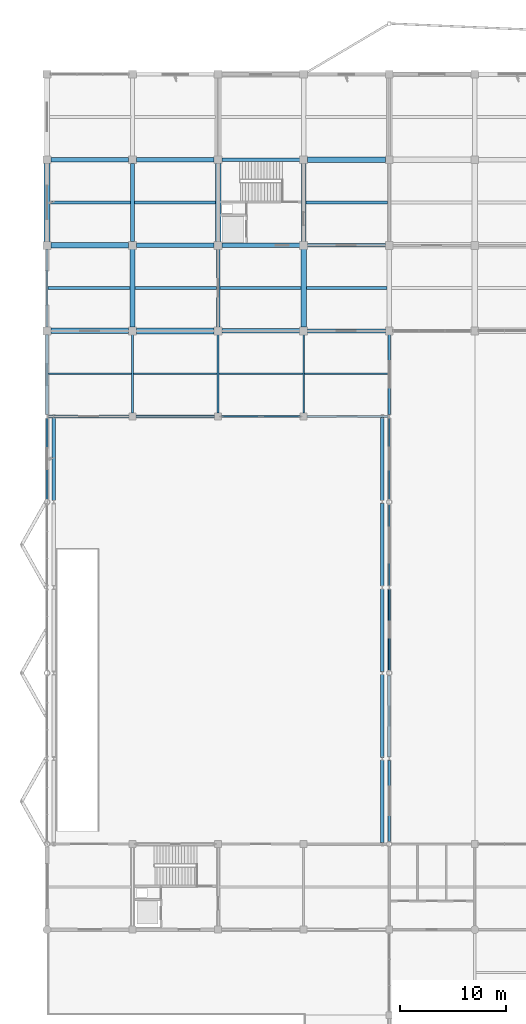
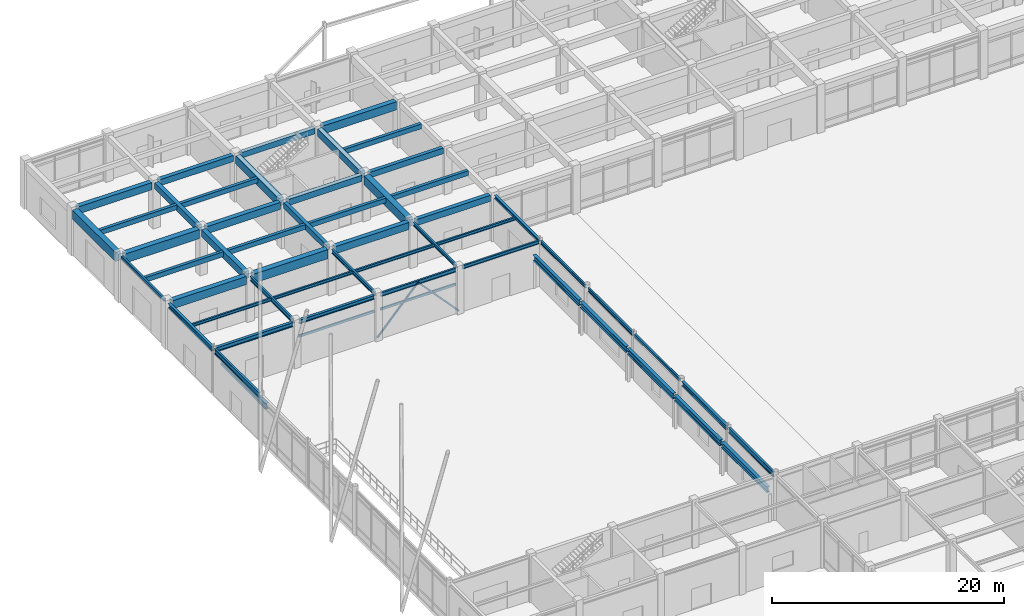
# One storey, part 32 of 99: 54 beams, 2 members.
"""IFC4 building model written with IfcOpenShell, lengths in metres."""

import ifcopenshell
import ifcopenshell.guid

model = None  # the IFC model being written
_history = None  # IfcOwnerHistory: only IFC2X3 demands one
_inside = {}  # id of a spatial element -> (the spatial element, [elements in it])
_under = {}  # id of a project, library or spatial element -> (it, [spatial elements below it])
_declared = {}  # id of a project -> (the project, [libraries it declares])
_typed = {}  # id of a type object -> (the type object, [elements of that type])
_made_of = {}  # id of a material, layer set ... -> (it, [elements and type objects made of it])


def new_model(schema):
    """Start an empty IFC model of exactly this schema.

    Asked for "IFC4X3", IfcOpenShell would pick the latest addendum, in which some entities
    have other attributes; the version numbers below select the first issue.
    IFC2X3 requires an IfcOwnerHistory on every rooted entity: one is made here for all.
    """
    global model, _history
    if schema == "IFC4X3":
        model = ifcopenshell.file(schema_version=(4, 3, 0, 0))
    else:
        model = ifcopenshell.file(schema=schema)
    _inside.clear()
    _under.clear()
    _declared.clear()
    _typed.clear()
    _made_of.clear()
    _history = None
    if model.schema == "IFC2X3":
        org = make("IfcOrganization", Name="unknown")
        user = make(
            "IfcPersonAndOrganization",
            ThePerson=make("IfcPerson", FamilyName="unknown"),
            TheOrganization=org,
        )
        app = make(
            "IfcApplication",
            ApplicationDeveloper=org,
            Version="unknown",
            ApplicationFullName="unknown",
            ApplicationIdentifier="unknown",
        )
        _history = make(
            "IfcOwnerHistory",
            OwningUser=user,
            OwningApplication=app,
            ChangeAction="ADDED",
            CreationDate=0,
        )
    return model


def make(cls, **values):
    """One entity of the class cls with the attributes given. An attribute that is None is left unset."""
    return model.create_entity(
        cls, **{name: value for name, value in values.items() if value is not None}
    )


def rooted(cls, **values):
    """An entity with a GlobalId (a new one), such as an element, a storey or a relation."""
    return make(cls, GlobalId=ifcopenshell.guid.new(), OwnerHistory=_history, **values)


def si_unit(unit_type, name, prefix=None):
    """IfcSIUnit, for example si_unit("LENGTHUNIT", "METRE", prefix="MILLI")."""
    return make("IfcSIUnit", UnitType=unit_type, Prefix=prefix, Name=name)


def assignment(units):
    """IfcUnitAssignment: the units of a project."""
    return None if units is None else make("IfcUnitAssignment", Units=units)


def point(xyz):
    """IfcCartesianPoint."""
    return None if xyz is None else make("IfcCartesianPoint", Coordinates=xyz)


def direction(xyz):
    """IfcDirection."""
    return None if xyz is None else make("IfcDirection", DirectionRatios=xyz)


def frame(location, z_axis=None, x_axis=None):
    """IfcAxis2Placement3D, a coordinate frame: its origin and axes. An axis left out is left unset."""
    return make(
        "IfcAxis2Placement3D",
        Location=point(location),
        Axis=direction(z_axis),
        RefDirection=direction(x_axis),
    )


def frame_2d(location, x_axis=None):
    """IfcAxis2Placement2D, a coordinate frame in the plane: its origin and x axis."""
    return make(
        "IfcAxis2Placement2D", Location=point(location), RefDirection=direction(x_axis)
    )


def origin():
    """The frame at (0, 0, 0) with its axes left unset."""
    return frame((0.0, 0.0, 0.0))


def origin_2d():
    """The frame at (0, 0) in the plane with its x axis left unset."""
    return frame_2d((0.0, 0.0))


def place(relative_to, where):
    """IfcLocalPlacement: puts the frame where relative to a parent placement (None: the world)."""
    return make(
        "IfcLocalPlacement", PlacementRelTo=relative_to, RelativePlacement=where
    )


def context(
    kind, dimensions, precision=None, world=None, true_north=None, identifier=None
):
    """IfcGeometricRepresentationContext, for example the 3D "Model" context."""
    return make(
        "IfcGeometricRepresentationContext",
        ContextIdentifier=identifier,
        ContextType=kind,
        CoordinateSpaceDimension=dimensions,
        Precision=precision,
        WorldCoordinateSystem=world,
        TrueNorth=true_north,
    )


def subcontext(parent, identifier, kind, view, scale=None):
    """IfcGeometricRepresentationSubContext, for example "Body" below "Model"."""
    return make(
        "IfcGeometricRepresentationSubContext",
        ContextIdentifier=identifier,
        ContextType=kind,
        ParentContext=parent,
        TargetScale=scale,
        TargetView=view,
    )


def project(units=None, contexts=None):
    """IfcProject with its units and contexts."""
    return rooted(
        "IfcProject",
        Name="project",
        RepresentationContexts=contexts,
        UnitsInContext=assignment(units),
    )


def spatial(cls, under=None, at=None, **own):
    """A site, building, storey or space (cls), placed at a placement, below another one or the project."""
    s = rooted(cls, ObjectPlacement=at, **own)
    if under is not None:
        _under.setdefault(under.id(), (under, []))[1].append(s)
    return s


def profile(cls, at=None, kind="AREA", **sizes):
    """A parametric profile (cls). Its sizes go by their IFC names, for example OverallWidth=200.0."""
    return make(cls, ProfileType=kind, Position=at, **sizes)


def rectangle(**sizes):
    """IfcRectangleProfileDef."""
    return profile("IfcRectangleProfileDef", **sizes)


def hollow_rectangle(**sizes):
    """IfcRectangleHollowProfileDef."""
    return profile("IfcRectangleHollowProfileDef", **sizes)


def i_section(**sizes):
    """IfcIShapeProfileDef."""
    return profile("IfcIShapeProfileDef", **sizes)


def extrude(swept, where, along, depth):
    """IfcExtrudedAreaSolid: the profile swept, set in the frame where, extruded along a direction by depth."""
    return make(
        "IfcExtrudedAreaSolid",
        SweptArea=swept,
        Position=where,
        ExtrudedDirection=direction(along),
        Depth=depth,
    )


def shape(context_of_items, identifier, shape_type, items):
    """IfcShapeRepresentation: the items that make up one representation, for example the "Body"."""
    return make(
        "IfcShapeRepresentation",
        ContextOfItems=context_of_items,
        RepresentationIdentifier=identifier,
        RepresentationType=shape_type,
        Items=items,
    )


def material(Name=None, Category=None):
    """IfcMaterial."""
    return make("IfcMaterial", Name=Name, Category=Category)


def material_profile(
    of_material, cross_section, Name=None, Category=None, Priority=None
):
    """IfcMaterialProfile: a cross section and its material."""
    return make(
        "IfcMaterialProfile",
        Name=Name,
        Material=of_material,
        Profile=cross_section,
        Priority=Priority,
        Category=Category,
    )


def profile_set(profiles, Name=None, composite=None):
    """IfcMaterialProfileSet."""
    return make(
        "IfcMaterialProfileSet",
        Name=Name,
        MaterialProfiles=profiles,
        CompositeProfile=composite,
    )


def made_of(thing, what):
    """Note that an element or type object is made of a material, layer set ...; save() writes the relation."""
    if what is not None:
        _made_of.setdefault(what.id(), (what, []))[1].append(thing)
    return thing


def type_object(cls, material=None, **own):
    """A type object (cls), such as IfcWallType, which elements share."""
    return made_of(rooted(cls, **own), material)


def element(
    cls,
    number,
    at=None,
    inside=None,
    cuts=None,
    type_object=None,
    material=None,
    context=None,
    identifier="Body",
    shape_type=None,
    held_by="IfcProductDefinitionShape",
    body=None,
    shapes=None,
    **own,
):
    """One element of the class cls, such as IfcWall. Its Tag is "e" and its number.

    at: its placement. inside: the storey or other place that contains it. cuts: it is an
    opening in that element (IfcRelVoidsElement). A single representation is given by context,
    identifier, shape_type and body (its items); several are given by shapes. held_by: the class
    of the entity that holds the representations. save() writes the other relations.
    """
    e = rooted(cls, Tag="e%d" % number, ObjectPlacement=at, **own)
    if body is not None:
        shapes = [shape(context, identifier, shape_type, body)]
    if shapes is not None:
        e.Representation = make(held_by, Representations=shapes)
    if inside is not None:
        _inside.setdefault(inside.id(), (inside, []))[1].append(e)
    if cuts is not None:
        rooted(
            "IfcRelVoidsElement", RelatingBuildingElement=cuts, RelatedOpeningElement=e
        )
    if type_object is not None:
        _typed.setdefault(type_object.id(), (type_object, []))[1].append(e)
    return made_of(e, material)


def aggregate(whole, parts):
    """IfcRelAggregates: a whole, such as a stair, and the parts it consists of."""
    return rooted("IfcRelAggregates", RelatingObject=whole, RelatedObjects=parts)


def save(model, path):
    """Write the relations noted so far, then the file.

    IfcRelAggregates (storeys below a building ...), IfcRelContainedInSpatialStructure (elements
    in a storey), IfcRelDefinesByType, IfcRelAssociatesMaterial and IfcRelDeclares: one each for
    every whole, place, type object, material and project.
    """
    for whole, parts in _under.values():
        aggregate(whole, parts)
    for where, things in _inside.values():
        rooted(
            "IfcRelContainedInSpatialStructure",
            RelatedElements=things,
            RelatingStructure=where,
        )
    for kind, things in _typed.values():
        rooted("IfcRelDefinesByType", RelatedObjects=things, RelatingType=kind)
    for what, things in _made_of.values():
        rooted("IfcRelAssociatesMaterial", RelatedObjects=things, RelatingMaterial=what)
    for by, libraries in _declared.values():
        rooted("IfcRelDeclares", RelatingContext=by, RelatedDefinitions=libraries)
    model.write(path)


model = new_model("IFC4")

# Units and contexts
model_context = context("Model", 3, precision=1e-05, world=origin(), true_north=direction((0.0, 1.0)))
body_context = subcontext(model_context, "Body", "Model", "MODEL_VIEW")
ifc_project = project(units=[si_unit("LENGTHUNIT", "METRE"), si_unit("AREAUNIT", "SQUARE_METRE"), si_unit("VOLUMEUNIT", "CUBIC_METRE"), si_unit("PLANEANGLEUNIT", "RADIAN"), si_unit("MASSUNIT", "GRAM", prefix="KILO")], contexts=[model_context])

# Site, building, storey
site_placement = place(None, origin())
site = spatial("IfcSite", under=ifc_project, at=site_placement, CompositionType="ELEMENT")
building_placement = place(site_placement, origin())
building = spatial("IfcBuilding", under=site, at=building_placement, Name="Vaudrelin Polytechnic", CompositionType="ELEMENT")
storey_placement = place(building_placement, origin())
storey = spatial("IfcBuildingStorey", under=building, at=storey_placement, Name="L00", CompositionType="ELEMENT", Elevation=0.0)

# Beams
ifc_material_1 = material(Name="Concrete 40 MPa", Category="concrete")
ifc_material_profile_1 = material_profile(ifc_material_1, rectangle(XDim=0.35009765625, YDim=0.60009765625, at=origin_2d()), Name="RC350x600")
ifc_profile_set_1 = profile_set([ifc_material_profile_1], Name="Concrete 40 MPa")
beam_type_1 = type_object("IfcBeamType", Name="BM-BM-RC3560", PredefinedType="BEAM", material=ifc_profile_set_1)
beam_1_placement = place(storey_placement, frame((16.199951171875, 97.56005859375, 4.52001953125), z_axis=(0.0, 1.0, 0.0), x_axis=(-1.0, 0.0, 0.0)))
element("IfcBeam", 1, at=beam_1_placement, inside=storey, type_object=beam_type_1, Name="L00 Y-beam 3-13", PredefinedType="BEAM", context=body_context, shape_type="SweptSolid", body=[
    extrude(rectangle(XDim=0.35009765625, YDim=0.60009765625, at=origin_2d()), origin(), (0.0, 0.0, 1.0), 7.3798828125),
])
beam_2_placement = place(storey_placement, frame((16.571044921875, 113.39990234375, 4.52001953125), z_axis=(1.0, 0.0, 0.0), x_axis=(0.0, 1.0, 0.0)))
element("IfcBeam", 2, at=beam_2_placement, inside=storey, type_object=beam_type_1, Name="L00 X-beam 3-15", PredefinedType="BEAM", context=body_context, shape_type="SweptSolid", body=[
    extrude(rectangle(XDim=0.35009765625, YDim=0.60009765625, at=origin_2d()), origin(), (0.0, 0.0, 1.0), 7.35791015625),
])
beam_3_placement = place(storey_placement, frame((24.6708984375, 105.300048828125, 4.52001953125), z_axis=(1.0, 0.0, 0.0), x_axis=(0.0, 1.0, 0.0)))
element("IfcBeam", 3, at=beam_3_placement, inside=storey, type_object=beam_type_1, Name="L00 X-beam 4-14", PredefinedType="BEAM", context=body_context, shape_type="SweptSolid", body=[
    extrude(rectangle(XDim=0.35009765625, YDim=0.60009765625, at=origin_2d()), origin(), (0.0, 0.0, 1.0), 7.358154296875),
])
ifc_material_profile_2 = material_profile(ifc_material_1, rectangle(XDim=0.39990234375, YDim=0.64990234375, at=origin_2d()), Name="RC400x650")
ifc_profile_set_2 = profile_set([ifc_material_profile_2], Name="Concrete 40 MPa")
beam_type_2 = type_object("IfcBeamType", Name="BM-BM-RC4065", PredefinedType="BEAM", material=ifc_profile_set_2)
beam_4_placement = place(storey_placement, frame((8.10009765625, 105.659912109375, 4.4951171875), z_axis=(0.0, 1.0, 0.0), x_axis=(-1.0, 0.0, 0.0)))
element("IfcBeam", 4, at=beam_4_placement, inside=storey, type_object=beam_type_2, Name="L00 Y-beam 2-14", PredefinedType="BEAM", context=body_context, shape_type="SweptSolid", body=[
    extrude(rectangle(XDim=0.39990234375, YDim=0.64990234375, at=origin_2d()), origin(), (0.0, 0.0, 1.0), 7.380126953125),
])
beam_5_placement = place(storey_placement, frame((8.470947265625, 113.39990234375, 4.4951171875), z_axis=(1.0, 0.0, 0.0), x_axis=(0.0, 1.0, 0.0)))
element("IfcBeam", 5, at=beam_5_placement, inside=storey, type_object=beam_type_2, Name="L00 X-beam 2-15", PredefinedType="BEAM", context=body_context, shape_type="SweptSolid", body=[
    extrude(rectangle(XDim=0.39990234375, YDim=0.64990234375, at=origin_2d()), origin(), (0.0, 0.0, 1.0), 7.358154296875),
])
beam_6_placement = place(storey_placement, frame((16.571044921875, 105.300048828125, 4.4951171875), z_axis=(1.0, 0.0, 0.0), x_axis=(0.0, 1.0, 0.0)))
element("IfcBeam", 6, at=beam_6_placement, inside=storey, type_object=beam_type_2, Name="L00 X-beam 3-14", PredefinedType="BEAM", context=body_context, shape_type="SweptSolid", body=[
    extrude(rectangle(XDim=0.39990234375, YDim=0.64990234375, at=origin_2d()), origin(), (0.0, 0.0, 1.0), 7.35791015625),
])
beam_7_placement = place(storey_placement, frame((24.6708984375, 97.199951171875, 4.465087890625), z_axis=(1.0, 0.0, 0.0), x_axis=(0.0, 1.0, 0.0)))
element("IfcBeam", 7, at=beam_7_placement, inside=storey, type_object=beam_type_2, Name="L00 X-beam 4-13", PredefinedType="BEAM", context=body_context, shape_type="SweptSolid", body=[
    extrude(rectangle(XDim=0.39990234375, YDim=0.64990234375, at=origin_2d()), origin(), (0.0, 0.0, 1.0), 7.358154296875),
])
ifc_material_profile_3 = material_profile(ifc_material_1, rectangle(XDim=0.449951171875, YDim=0.75, at=origin_2d()), Name="RC450x750")
ifc_profile_set_3 = profile_set([ifc_material_profile_3], Name="Concrete 40 MPa")
beam_type_3 = type_object("IfcBeamType", Name="BM-BM-RC4575", PredefinedType="BEAM", material=ifc_profile_set_3)
beam_8_placement = place(storey_placement, frame((8.10009765625, 97.56005859375, 4.445068359375), z_axis=(0.0, 1.0, 0.0), x_axis=(-1.0, 0.0, 0.0)))
element("IfcBeam", 8, at=beam_8_placement, inside=storey, type_object=beam_type_3, Name="L00 Y-beam 2-13", PredefinedType="BEAM", context=body_context, shape_type="SweptSolid", body=[
    extrude(rectangle(XDim=0.449951171875, YDim=0.75, at=origin_2d()), origin(), (0.0, 0.0, 1.0), 7.3798828125),
])
beam_9_placement = place(storey_placement, frame((24.300048828125, 105.659912109375, 4.445068359375), z_axis=(0.0, 1.0, 0.0), x_axis=(-1.0, 0.0, 0.0)))
element("IfcBeam", 9, at=beam_9_placement, inside=storey, type_object=beam_type_3, Name="L00 Y-beam 4-14", PredefinedType="BEAM", context=body_context, shape_type="SweptSolid", body=[
    extrude(rectangle(XDim=0.449951171875, YDim=0.75, at=origin_2d()), origin(), (0.0, 0.0, 1.0), 7.380126953125),
])
beam_10_placement = place(storey_placement, frame((0.37109375, 113.39990234375, 4.445068359375), z_axis=(1.0, 0.0, 0.0), x_axis=(0.0, 1.0, 0.0)))
element("IfcBeam", 10, at=beam_10_placement, inside=storey, type_object=beam_type_3, Name="L00 X-beam 1-15", PredefinedType="BEAM", context=body_context, shape_type="SweptSolid", body=[
    extrude(rectangle(XDim=0.449951171875, YDim=0.75, at=origin_2d()), origin(), (0.0, 0.0, 1.0), 7.35791015625),
])
beam_11_placement = place(storey_placement, frame((8.470947265625, 105.300048828125, 4.445068359375), z_axis=(1.0, 0.0, 0.0), x_axis=(0.0, 1.0, 0.0)))
element("IfcBeam", 11, at=beam_11_placement, inside=storey, type_object=beam_type_3, Name="L00 X-beam 2-14", PredefinedType="BEAM", context=body_context, shape_type="SweptSolid", body=[
    extrude(rectangle(XDim=0.449951171875, YDim=0.75, at=origin_2d()), origin(), (0.0, 0.0, 1.0), 7.358154296875),
])
beam_12_placement = place(storey_placement, frame((16.571044921875, 97.199951171875, 4.4150390625), z_axis=(1.0, 0.0, 0.0), x_axis=(0.0, 1.0, 0.0)))
element("IfcBeam", 12, at=beam_12_placement, inside=storey, type_object=beam_type_3, Name="L00 X-beam 3-13", PredefinedType="BEAM", context=body_context, shape_type="SweptSolid", body=[
    extrude(rectangle(XDim=0.449951171875, YDim=0.75, at=origin_2d()), origin(), (0.0, 0.0, 1.0), 7.35791015625),
])
ifc_material_profile_4 = material_profile(ifc_material_1, rectangle(XDim=0.5, YDim=0.85009765625, at=origin_2d()), Name="RC500x850")
ifc_profile_set_4 = profile_set([ifc_material_profile_4], Name="Concrete 40 MPa")
beam_type_4 = type_object("IfcBeamType", Name="BM-BM-RC5085", PredefinedType="BEAM", material=ifc_profile_set_4)
beam_13_placement = place(storey_placement, frame((16.199951171875, 105.659912109375, 4.39501953125), z_axis=(0.0, 1.0, 0.0), x_axis=(-1.0, 0.0, 0.0)))
element("IfcBeam", 13, at=beam_13_placement, inside=storey, type_object=beam_type_4, Name="L00 Y-beam 3-14", PredefinedType="BEAM", context=body_context, shape_type="SweptSolid", body=[
    extrude(rectangle(XDim=0.5, YDim=0.85009765625, at=origin_2d()), origin(), (0.0, 0.0, 1.0), 7.380126953125),
])
beam_14_placement = place(storey_placement, frame((0.37109375, 97.199951171875, 4.364990234375), z_axis=(1.0, 0.0, 0.0), x_axis=(0.0, 1.0, 0.0)))
element("IfcBeam", 14, at=beam_14_placement, inside=storey, type_object=beam_type_4, Name="L00 X-beam 1-13", PredefinedType="BEAM", context=body_context, shape_type="SweptSolid", body=[
    extrude(rectangle(XDim=0.5, YDim=0.85009765625, at=origin_2d()), origin(), (0.0, 0.0, 1.0), 7.35791015625),
])
beam_15_placement = place(storey_placement, frame((24.6708984375, 113.39990234375, 4.39501953125), z_axis=(1.0, 0.0, 0.0), x_axis=(0.0, 1.0, 0.0)))
element("IfcBeam", 15, at=beam_15_placement, inside=storey, type_object=beam_type_4, Name="L00 X-beam 4-15", PredefinedType="BEAM", context=body_context, shape_type="SweptSolid", body=[
    extrude(rectangle(XDim=0.5, YDim=0.85009765625, at=origin_2d()), origin(), (0.0, 0.0, 1.0), 7.358154296875),
])
ifc_material_2 = material(Name="Concrete 50 MPa", Category="concrete")
ifc_material_profile_5 = material_profile(ifc_material_2, rectangle(XDim=0.550048828125, YDim=0.949951171875, at=origin_2d()), Name="RC550x950")
ifc_profile_set_5 = profile_set([ifc_material_profile_5], Name="Concrete 50 MPa")
beam_type_5 = type_object("IfcBeamType", Name="BM-BM-RC5595", PredefinedType="BEAM", material=ifc_profile_set_5)
beam_16_placement = place(storey_placement, frame((0.0, 105.659912109375, 4.344970703125), z_axis=(0.0, 1.0, 0.0), x_axis=(-1.0, 0.0, 0.0)))
element("IfcBeam", 16, at=beam_16_placement, inside=storey, type_object=beam_type_5, Name="L00 Y-beam 1-14", PredefinedType="BEAM", context=body_context, shape_type="SweptSolid", body=[
    extrude(rectangle(XDim=0.550048828125, YDim=0.949951171875, at=origin_2d()), origin(), (0.0, 0.0, 1.0), 7.380126953125),
])
beam_17_placement = place(storey_placement, frame((24.300048828125, 97.56005859375, 4.344970703125), z_axis=(0.0, 1.0, 0.0), x_axis=(-1.0, 0.0, 0.0)))
element("IfcBeam", 17, at=beam_17_placement, inside=storey, type_object=beam_type_5, Name="L00 Y-beam 4-13", PredefinedType="BEAM", context=body_context, shape_type="SweptSolid", body=[
    extrude(rectangle(XDim=0.550048828125, YDim=0.949951171875, at=origin_2d()), origin(), (0.0, 0.0, 1.0), 7.3798828125),
])
beam_18_placement = place(storey_placement, frame((0.37109375, 105.300048828125, 4.344970703125), z_axis=(1.0, 0.0, 0.0), x_axis=(0.0, 1.0, 0.0)))
element("IfcBeam", 18, at=beam_18_placement, inside=storey, type_object=beam_type_5, Name="L00 X-beam 1-14", PredefinedType="BEAM", context=body_context, shape_type="SweptSolid", body=[
    extrude(rectangle(XDim=0.550048828125, YDim=0.949951171875, at=origin_2d()), origin(), (0.0, 0.0, 1.0), 7.35791015625),
])
beam_19_placement = place(storey_placement, frame((8.470947265625, 97.199951171875, 4.31494140625), z_axis=(1.0, 0.0, 0.0), x_axis=(0.0, 1.0, 0.0)))
element("IfcBeam", 19, at=beam_19_placement, inside=storey, type_object=beam_type_5, Name="L00 X-beam 2-13", PredefinedType="BEAM", context=body_context, shape_type="SweptSolid", body=[
    extrude(rectangle(XDim=0.550048828125, YDim=0.949951171875, at=origin_2d()), origin(), (0.0, 0.0, 1.0), 7.358154296875),
])
ifc_material_3 = material(Name="Steel CSA G40.21 350W", Category="steel")
ifc_material_profile_6 = material_profile(ifc_material_3, i_section(OverallWidth=0.178955078125, OverallDepth=0.409912109375, WebThickness=0.0087890625, FlangeThickness=0.014404296875, FilletRadius=0.01611328125, at=origin_2d()), Name="W410x67")
ifc_profile_set_6 = profile_set([ifc_material_profile_6], Name="Steel CSA G40.21 350W")
beam_type_6 = type_object("IfcBeamType", Name="BM-BM-W410", PredefinedType="BEAM", material=ifc_profile_set_6)
beam_20_placement = place(storey_placement, frame((16.199951171875, 89.409912109375, 4.5849609375), z_axis=(0.0, 1.0, 0.0), x_axis=(-1.0, 0.0, 0.0)))
element("IfcBeam", 20, at=beam_20_placement, inside=storey, type_object=beam_type_6, Name="L00 Y-beam 3-12", PredefinedType="BEAM", context=body_context, shape_type="SweptSolid", body=[
    extrude(i_section(OverallWidth=0.178955078125, OverallDepth=0.409912109375, WebThickness=0.0087890625, FlangeThickness=0.014404296875, FilletRadius=0.01611328125, at=origin_2d()), origin(), (0.0, 0.0, 1.0), 7.43017578125),
])
beam_21_placement = place(storey_placement, frame((32.39990234375, 73.0615234375, 4.614990234375), z_axis=(0.0, 1.0, 0.0), x_axis=(-1.0, 0.0, 0.0)))
element("IfcBeam", 21, at=beam_21_placement, inside=storey, type_object=beam_type_6, Name="L00 Y-beam 5-10", PredefinedType="BEAM", context=body_context, shape_type="SweptSolid", body=[
    extrude(i_section(OverallWidth=0.178955078125, OverallDepth=0.409912109375, WebThickness=0.0087890625, FlangeThickness=0.014404296875, FilletRadius=0.01611328125, at=origin_2d()), origin(), (0.0, 0.0, 1.0), 7.699462890625),
])
beam_22_placement = place(storey_placement, frame((16.52099609375, 89.10009765625, 4.5849609375), z_axis=(1.0, 0.0, 0.0), x_axis=(0.0, 1.0, 0.0)))
element("IfcBeam", 22, at=beam_22_placement, inside=storey, type_object=beam_type_6, Name="L00 X-beam 3-12", PredefinedType="BEAM", context=body_context, shape_type="SweptSolid", body=[
    extrude(i_section(OverallWidth=0.178955078125, OverallDepth=0.409912109375, WebThickness=0.0087890625, FlangeThickness=0.014404296875, FilletRadius=0.01611328125, at=origin_2d()), origin(), (0.0, 0.0, 1.0), 7.4580078125),
])
ifc_material_4 = material(Name="Steel CSA G40.21 350WT", Category="steel")
ifc_material_profile_7 = material_profile(ifc_material_4, i_section(OverallWidth=0.260009765625, OverallDepth=0.4150390625, WebThickness=0.010009765625, FlangeThickness=0.016845703125, FilletRadius=0.01611328125, at=origin_2d()), Name="W410x100")
ifc_profile_set_7 = profile_set([ifc_material_profile_7], Name="Steel CSA G40.21 350WT")
beam_type_7 = type_object("IfcBeamType", Name="BM-BM-W410H", PredefinedType="SPANDREL", material=ifc_profile_set_7)
beam_23_placement = place(storey_placement, frame((8.4208984375, 89.10009765625, 4.58251953125), z_axis=(1.0, 0.0, 0.0), x_axis=(0.0, 1.0, 0.0)))
element("IfcBeam", 23, at=beam_23_placement, inside=storey, type_object=beam_type_7, Name="L00 X-beam 2-12", PredefinedType="SPANDREL", context=body_context, shape_type="SweptSolid", body=[
    extrude(i_section(OverallWidth=0.260009765625, OverallDepth=0.4150390625, WebThickness=0.010009765625, FlangeThickness=0.016845703125, FilletRadius=0.01611328125, at=origin_2d()), origin(), (0.0, 0.0, 1.0), 7.4580078125),
])
ifc_material_profile_8 = material_profile(ifc_material_4, i_section(OverallWidth=0.19091796875, OverallDepth=0.4599609375, WebThickness=0.010009765625, FlangeThickness=0.01611328125, FilletRadius=0.01806640625, at=origin_2d()), Name="W460x82")
ifc_profile_set_8 = profile_set([ifc_material_profile_8], Name="Steel CSA G40.21 350WT")
beam_type_8 = type_object("IfcBeamType", Name="BM-BM-W460", PredefinedType="BEAM", material=ifc_profile_set_8)
beam_24_placement = place(storey_placement, frame((8.10009765625, 89.409912109375, 4.56005859375), z_axis=(0.0, 1.0, 0.0), x_axis=(-1.0, 0.0, 0.0)))
element("IfcBeam", 24, at=beam_24_placement, inside=storey, type_object=beam_type_8, Name="L00 Y-beam 2-12", PredefinedType="BEAM", context=body_context, shape_type="SweptSolid", body=[
    extrude(i_section(OverallWidth=0.19091796875, OverallDepth=0.4599609375, WebThickness=0.010009765625, FlangeThickness=0.01611328125, FilletRadius=0.01806640625, at=origin_2d()), origin(), (0.0, 0.0, 1.0), 7.43017578125),
])
ifc_material_profile_9 = material_profile(ifc_material_3, i_section(OverallWidth=0.280029296875, OverallDepth=0.462890625, WebThickness=0.0107421875, FlangeThickness=0.017333984375, FilletRadius=0.01806640625, at=origin_2d()), Name="W460x113")
ifc_profile_set_9 = profile_set([ifc_material_profile_9], Name="Steel CSA G40.21 350W")
beam_type_9 = type_object("IfcBeamType", Name="BM-BM-W460H", PredefinedType="BEAM", material=ifc_profile_set_9)
beam_25_placement = place(storey_placement, frame((0.0, 89.261474609375, 4.55859375), z_axis=(0.0, 1.0, 0.0), x_axis=(-1.0, 0.0, 0.0)))
element("IfcBeam", 25, at=beam_25_placement, inside=storey, type_object=beam_type_9, Name="L00 Y-beam 1-12", PredefinedType="BEAM", context=body_context, shape_type="SweptSolid", body=[
    extrude(i_section(OverallWidth=0.280029296875, OverallDepth=0.462890625, WebThickness=0.0107421875, FlangeThickness=0.017333984375, FilletRadius=0.01806640625, at=origin_2d()), origin(), (0.0, 0.0, 1.0), 7.57861328125),
])
beam_26_placement = place(storey_placement, frame((32.39990234375, 56.861572265625, 4.58837890625), z_axis=(0.0, 1.0, 0.0), x_axis=(-1.0, 0.0, 0.0)))
element("IfcBeam", 26, at=beam_26_placement, inside=storey, type_object=beam_type_9, Name="L00 Y-beam 5-8", PredefinedType="BEAM", context=body_context, shape_type="SweptSolid", body=[
    extrude(i_section(OverallWidth=0.280029296875, OverallDepth=0.462890625, WebThickness=0.0107421875, FlangeThickness=0.017333984375, FilletRadius=0.01806640625, at=origin_2d()), origin(), (0.0, 0.0, 1.0), 7.699462890625),
])
beam_27_placement = place(storey_placement, frame((0.123046875, 89.10009765625, 4.55859375), z_axis=(1.0, 0.0, 0.0), x_axis=(0.0, 1.0, 0.0)))
element("IfcBeam", 27, at=beam_27_placement, inside=storey, type_object=beam_type_9, Name="L00 X-beam 1-12", PredefinedType="BEAM", context=body_context, shape_type="SweptSolid", body=[
    extrude(i_section(OverallWidth=0.280029296875, OverallDepth=0.462890625, WebThickness=0.0107421875, FlangeThickness=0.017333984375, FilletRadius=0.01806640625, at=origin_2d()), origin(), (0.0, 0.0, 1.0), 7.656005859375),
])
ifc_material_profile_10 = material_profile(ifc_material_3, i_section(OverallWidth=0.208984375, OverallDepth=0.532958984375, WebThickness=0.01025390625, FlangeThickness=0.015625, FilletRadius=0.01904296875, at=origin_2d()), Name="W530x92")
ifc_profile_set_10 = profile_set([ifc_material_profile_10], Name="Steel CSA G40.21 350W")
beam_type_10 = type_object("IfcBeamType", Name="BM-BM-W530", PredefinedType="BEAM", material=ifc_profile_set_10)
for number, where, z_axis, x_axis, name in (
    (28, (0.0, 81.239013671875, 4.553466796875), (0.0, 1.0, 0.0), (-1.0, 0.0, 0.0), "L00 Y-beam 1-11"),
    (29, (32.39990234375, 48.839111328125, 4.553466796875), (0.0, 1.0, 0.0), (-1.0, 0.0, 0.0), "L00 Y-beam 5-7"),
):
    element("IfcBeam", number, at=place(storey_placement, frame(where, z_axis=z_axis, x_axis=x_axis)), inside=storey, type_object=beam_type_10, Name=name, PredefinedType="BEAM", context=body_context, shape_type="SweptSolid", body=[
        extrude(i_section(OverallWidth=0.208984375, OverallDepth=0.532958984375, WebThickness=0.01025390625, FlangeThickness=0.015625, FilletRadius=0.01904296875, at=origin_2d()), origin(), (0.0, 0.0, 1.0), 7.699462890625),
    ])
ifc_material_profile_11 = material_profile(ifc_material_3, i_section(OverallWidth=0.323974609375, OverallDepth=0.611083984375, WebThickness=0.0126953125, FlangeThickness=0.01904296875, FilletRadius=0.02001953125, at=origin_2d()), Name="W610x155")
ifc_profile_set_11 = profile_set([ifc_material_profile_11], Name="Steel CSA G40.21 350W")
beam_type_11 = type_object("IfcBeamType", Name="BM-BM-W610H", PredefinedType="BEAM", material=ifc_profile_set_11)
beam_28_placement = place(storey_placement, frame((0.64990234375, 81.1201171875, 3.244384765625), z_axis=(0.0, 1.0, 0.0), x_axis=(-1.0, 0.0, 0.0)))
element("IfcBeam", 30, at=beam_28_placement, inside=storey, type_object=beam_type_11, Name="Workshop crane runway girder WEST bay 10", PredefinedType="BEAM", context=body_context, shape_type="SweptSolid", body=[
    extrude(i_section(OverallWidth=0.323974609375, OverallDepth=0.611083984375, WebThickness=0.0126953125, FlangeThickness=0.01904296875, FilletRadius=0.02001953125, at=origin_2d()), origin(), (0.0, 0.0, 1.0), 7.85986328125),
])
beam_29_placement = place(storey_placement, frame((31.75, 48.719970703125, 3.244384765625), z_axis=(0.0, 1.0, 0.0), x_axis=(-1.0, 0.0, 0.0)))
element("IfcBeam", 31, at=beam_29_placement, inside=storey, type_object=beam_type_11, Name="Workshop crane runway girder EAST bay 6", PredefinedType="BEAM", context=body_context, shape_type="SweptSolid", body=[
    extrude(i_section(OverallWidth=0.323974609375, OverallDepth=0.611083984375, WebThickness=0.0126953125, FlangeThickness=0.01904296875, FilletRadius=0.02001953125, at=origin_2d()), origin(), (0.0, 0.0, 1.0), 7.860107421875),
])
beam_30_placement = place(storey_placement, frame((31.75, 56.820068359375, 3.244384765625), z_axis=(0.0, 1.0, 0.0), x_axis=(-1.0, 0.0, 0.0)))
element("IfcBeam", 32, at=beam_30_placement, inside=storey, type_object=beam_type_11, Name="Workshop crane runway girder EAST bay 7", PredefinedType="BEAM", context=body_context, shape_type="SweptSolid", body=[
    extrude(i_section(OverallWidth=0.323974609375, OverallDepth=0.611083984375, WebThickness=0.0126953125, FlangeThickness=0.01904296875, FilletRadius=0.02001953125, at=origin_2d()), origin(), (0.0, 0.0, 1.0), 7.85986328125),
])
beam_31_placement = place(storey_placement, frame((31.75, 64.919921875, 3.244384765625), z_axis=(0.0, 1.0, 0.0), x_axis=(-1.0, 0.0, 0.0)))
element("IfcBeam", 33, at=beam_31_placement, inside=storey, type_object=beam_type_11, Name="Workshop crane runway girder EAST bay 8", PredefinedType="BEAM", context=body_context, shape_type="SweptSolid", body=[
    extrude(i_section(OverallWidth=0.323974609375, OverallDepth=0.611083984375, WebThickness=0.0126953125, FlangeThickness=0.01904296875, FilletRadius=0.02001953125, at=origin_2d()), origin(), (0.0, 0.0, 1.0), 7.860107421875),
])
for number, where, z_axis, x_axis, name in (
    (34, (31.75, 73.02001953125, 3.244384765625), (0.0, 1.0, 0.0), (-1.0, 0.0, 0.0), "Workshop crane runway girder EAST bay 9"),
    (35, (31.75, 81.1201171875, 3.244384765625), (0.0, 1.0, 0.0), (-1.0, 0.0, 0.0), "Workshop crane runway girder EAST bay 10"),
):
    element("IfcBeam", number, at=place(storey_placement, frame(where, z_axis=z_axis, x_axis=x_axis)), inside=storey, type_object=beam_type_11, Name=name, PredefinedType="BEAM", context=body_context, shape_type="SweptSolid", body=[
        extrude(i_section(OverallWidth=0.323974609375, OverallDepth=0.611083984375, WebThickness=0.0126953125, FlangeThickness=0.01904296875, FilletRadius=0.02001953125, at=origin_2d()), origin(), (0.0, 0.0, 1.0), 7.85986328125),
    ])
ifc_material_profile_12 = material_profile(ifc_material_1, rectangle(XDim=0.300048828125, YDim=0.5, at=origin_2d()), Name="RC300x500")
ifc_profile_set_12 = profile_set([ifc_material_profile_12], Name="Concrete 40 MPa")
beam_type_12 = type_object("IfcBeamType", Name="BM-JS-RC3050", PredefinedType="JOIST", material=ifc_profile_set_12)
beam_32_placement = place(storey_placement, frame((0.097412109375, 101.25, 4.570068359375), z_axis=(1.0, 0.0, 0.0), x_axis=(0.0, 1.0, 0.0)))
element("IfcBeam", 36, at=beam_32_placement, inside=storey, type_object=beam_type_12, Name="L00 floor joist 1-13", PredefinedType="JOIST", context=body_context, shape_type="SweptSolid", body=[
    extrude(rectangle(XDim=0.300048828125, YDim=0.5, at=origin_2d()), origin(), (0.0, 0.0, 1.0), 7.781494140625),
])
beam_33_placement = place(storey_placement, frame((0.27099609375, 109.35009765625, 4.570068359375), z_axis=(1.0, 0.0, 0.0), x_axis=(0.0, 1.0, 0.0)))
element("IfcBeam", 37, at=beam_33_placement, inside=storey, type_object=beam_type_12, Name="L00 floor joist 1-14", PredefinedType="JOIST", context=body_context, shape_type="SweptSolid", body=[
    extrude(rectangle(XDim=0.300048828125, YDim=0.5, at=origin_2d()), origin(), (0.0, 0.0, 1.0), 7.633056640625),
])
beam_34_placement = place(storey_placement, frame((8.321044921875, 101.25, 4.570068359375), z_axis=(1.0, 0.0, 0.0), x_axis=(0.0, 1.0, 0.0)))
element("IfcBeam", 38, at=beam_34_placement, inside=storey, type_object=beam_type_12, Name="L00 floor joist 2-13", PredefinedType="JOIST", context=body_context, shape_type="SweptSolid", body=[
    extrude(rectangle(XDim=0.300048828125, YDim=0.5, at=origin_2d()), origin(), (0.0, 0.0, 1.0), 7.7080078125),
])
beam_35_placement = place(storey_placement, frame((8.2958984375, 109.35009765625, 4.570068359375), z_axis=(1.0, 0.0, 0.0), x_axis=(0.0, 1.0, 0.0)))
element("IfcBeam", 39, at=beam_35_placement, inside=storey, type_object=beam_type_12, Name="L00 floor joist 2-14", PredefinedType="JOIST", context=body_context, shape_type="SweptSolid", body=[
    extrude(rectangle(XDim=0.300048828125, YDim=0.5, at=origin_2d()), origin(), (0.0, 0.0, 1.0), 7.658203125),
])
beam_36_placement = place(storey_placement, frame((16.37109375, 101.25, 4.570068359375), z_axis=(1.0, 0.0, 0.0), x_axis=(0.0, 1.0, 0.0)))
element("IfcBeam", 40, at=beam_36_placement, inside=storey, type_object=beam_type_12, Name="L00 floor joist 3-13", PredefinedType="JOIST", context=body_context, shape_type="SweptSolid", body=[
    extrude(rectangle(XDim=0.300048828125, YDim=0.5, at=origin_2d()), origin(), (0.0, 0.0, 1.0), 7.657958984375),
])
beam_37_placement = place(storey_placement, frame((24.571044921875, 101.25, 4.570068359375), z_axis=(1.0, 0.0, 0.0), x_axis=(0.0, 1.0, 0.0)))
element("IfcBeam", 41, at=beam_37_placement, inside=storey, type_object=beam_type_12, Name="L00 floor joist 4-13", PredefinedType="JOIST", context=body_context, shape_type="SweptSolid", body=[
    extrude(rectangle(XDim=0.300048828125, YDim=0.5, at=origin_2d()), origin(), (0.0, 0.0, 1.0), 7.633056640625),
])
beam_38_placement = place(storey_placement, frame((24.52099609375, 109.35009765625, 4.570068359375), z_axis=(1.0, 0.0, 0.0), x_axis=(0.0, 1.0, 0.0)))
element("IfcBeam", 42, at=beam_38_placement, inside=storey, type_object=beam_type_12, Name="L00 floor joist 4-14", PredefinedType="JOIST", context=body_context, shape_type="SweptSolid", body=[
    extrude(rectangle(XDim=0.300048828125, YDim=0.5, at=origin_2d()), origin(), (0.0, 0.0, 1.0), 7.7080078125),
])
ifc_material_profile_13 = material_profile(ifc_material_3, i_section(OverallWidth=0.1669921875, OverallDepth=0.31689453125, WebThickness=0.007568359375, FlangeThickness=0.01318359375, FilletRadius=0.013916015625, at=origin_2d()), Name="W310x52")
ifc_profile_set_13 = profile_set([ifc_material_profile_13], Name="Steel CSA G40.21 350W")
beam_type_13 = type_object("IfcBeamType", Name="BM-JS-W310", PredefinedType="JOIST", material=ifc_profile_set_13)
beam_39_placement = place(storey_placement, frame((0.135986328125, 93.14990234375, 4.631591796875), z_axis=(1.0, 0.0, 0.0), x_axis=(0.0, 1.0, 0.0)))
element("IfcBeam", 43, at=beam_39_placement, inside=storey, type_object=beam_type_13, Name="L00 floor joist 1-12", PredefinedType="JOIST", context=body_context, shape_type="SweptSolid", body=[
    extrude(i_section(OverallWidth=0.1669921875, OverallDepth=0.31689453125, WebThickness=0.007568359375, FlangeThickness=0.01318359375, FilletRadius=0.013916015625, at=origin_2d()), origin(), (0.0, 0.0, 1.0), 7.87255859375),
])
beam_40_placement = place(storey_placement, frame((8.19140625, 93.14990234375, 4.631591796875), z_axis=(1.0, 0.0, 0.0), x_axis=(0.0, 1.0, 0.0)))
element("IfcBeam", 44, at=beam_40_placement, inside=storey, type_object=beam_type_13, Name="L00 floor joist 2-12", PredefinedType="JOIST", context=body_context, shape_type="SweptSolid", body=[
    extrude(i_section(OverallWidth=0.1669921875, OverallDepth=0.31689453125, WebThickness=0.007568359375, FlangeThickness=0.01318359375, FilletRadius=0.013916015625, at=origin_2d()), origin(), (0.0, 0.0, 1.0), 7.923095703125),
])
beam_41_placement = place(storey_placement, frame((16.285400390625, 93.14990234375, 4.631591796875), z_axis=(1.0, 0.0, 0.0), x_axis=(0.0, 1.0, 0.0)))
element("IfcBeam", 45, at=beam_41_placement, inside=storey, type_object=beam_type_13, Name="L00 floor joist 3-12", PredefinedType="JOIST", context=body_context, shape_type="SweptSolid", body=[
    extrude(i_section(OverallWidth=0.1669921875, OverallDepth=0.31689453125, WebThickness=0.007568359375, FlangeThickness=0.01318359375, FilletRadius=0.013916015625, at=origin_2d()), origin(), (0.0, 0.0, 1.0), 7.9326171875),
])
beam_42_placement = place(storey_placement, frame((24.382080078125, 93.14990234375, 4.631591796875), z_axis=(1.0, 0.0, 0.0), x_axis=(0.0, 1.0, 0.0)))
element("IfcBeam", 46, at=beam_42_placement, inside=storey, type_object=beam_type_13, Name="L00 floor joist 4-12", PredefinedType="JOIST", context=body_context, shape_type="SweptSolid", body=[
    extrude(i_section(OverallWidth=0.1669921875, OverallDepth=0.31689453125, WebThickness=0.007568359375, FlangeThickness=0.01318359375, FilletRadius=0.013916015625, at=origin_2d()), origin(), (0.0, 0.0, 1.0), 7.89501953125),
])
ifc_material_profile_14 = material_profile(ifc_material_4, i_section(OverallWidth=0.25390625, OverallDepth=0.305908203125, WebThickness=0.0087890625, FlangeThickness=0.0146484375, FilletRadius=0.01611328125, at=origin_2d()), Name="W310x79")
ifc_profile_set_14 = profile_set([ifc_material_profile_14], Name="Steel CSA G40.21 350WT")
beam_type_14 = type_object("IfcBeamType", Name="BM-JS-W310H", PredefinedType="SPANDREL", material=ifc_profile_set_14)
beam_43_placement = place(storey_placement, frame((32.39990234375, 89.261474609375, 4.636962890625), z_axis=(0.0, 1.0, 0.0), x_axis=(-1.0, 0.0, 0.0)))
element("IfcBeam", 47, at=beam_43_placement, inside=storey, type_object=beam_type_14, Name="L00 Y-beam 5-12", PredefinedType="SPANDREL", context=body_context, shape_type="SweptSolid", body=[
    extrude(i_section(OverallWidth=0.25390625, OverallDepth=0.305908203125, WebThickness=0.0087890625, FlangeThickness=0.0146484375, FilletRadius=0.01611328125, at=origin_2d()), origin(), (0.0, 0.0, 1.0), 7.57861328125),
])
ifc_material_profile_15 = material_profile(ifc_material_3, i_section(OverallWidth=0.172119140625, OverallDepth=0.35791015625, WebThickness=0.0078125, FlangeThickness=0.01318359375, FilletRadius=0.014892578125, at=origin_2d()), Name="W360x57")
ifc_profile_set_15 = profile_set([ifc_material_profile_15], Name="Steel CSA G40.21 350W")
beam_type_15 = type_object("IfcBeamType", Name="BM-JS-W360", PredefinedType="JOIST", material=ifc_profile_set_15)
beam_44_placement = place(storey_placement, frame((24.300048828125, 89.409912109375, 4.611083984375), z_axis=(0.0, 1.0, 0.0), x_axis=(-1.0, 0.0, 0.0)))
element("IfcBeam", 48, at=beam_44_placement, inside=storey, type_object=beam_type_15, Name="L00 Y-beam 4-12", PredefinedType="JOIST", context=body_context, shape_type="SweptSolid", body=[
    extrude(i_section(OverallWidth=0.172119140625, OverallDepth=0.35791015625, WebThickness=0.0078125, FlangeThickness=0.01318359375, FilletRadius=0.014892578125, at=origin_2d()), origin(), (0.0, 0.0, 1.0), 7.43017578125),
])
beam_45_placement = place(storey_placement, frame((32.39990234375, 81.239013671875, 4.64111328125), z_axis=(0.0, 1.0, 0.0), x_axis=(-1.0, 0.0, 0.0)))
element("IfcBeam", 49, at=beam_45_placement, inside=storey, type_object=beam_type_15, Name="L00 Y-beam 5-11", PredefinedType="JOIST", context=body_context, shape_type="SweptSolid", body=[
    extrude(i_section(OverallWidth=0.172119140625, OverallDepth=0.35791015625, WebThickness=0.0078125, FlangeThickness=0.01318359375, FilletRadius=0.014892578125, at=origin_2d()), origin(), (0.0, 0.0, 1.0), 7.699462890625),
])
beam_46_placement = place(storey_placement, frame((24.62109375, 89.10009765625, 4.611083984375), z_axis=(1.0, 0.0, 0.0), x_axis=(0.0, 1.0, 0.0)))
element("IfcBeam", 50, at=beam_46_placement, inside=storey, type_object=beam_type_15, Name="L00 X-beam 4-12", PredefinedType="JOIST", context=body_context, shape_type="SweptSolid", body=[
    extrude(i_section(OverallWidth=0.172119140625, OverallDepth=0.35791015625, WebThickness=0.0078125, FlangeThickness=0.01318359375, FilletRadius=0.014892578125, at=origin_2d()), origin(), (0.0, 0.0, 1.0), 7.656005859375),
])
ifc_material_profile_16 = material_profile(ifc_material_4, hollow_rectangle(XDim=0.152099609375, YDim=0.25390625, WallThickness=0.009521484375, InnerFilletRadius=0.009521484375, OuterFilletRadius=0.01904296875, at=origin_2d()), Name="HSS254x152x9.5")
ifc_profile_set_16 = profile_set([ifc_material_profile_16], Name="Steel CSA G40.21 350WT")
beam_type_16 = type_object("IfcBeamType", Name="BM-LN-HSS25", PredefinedType="LINTEL", material=ifc_profile_set_16)
for number, where, z_axis, x_axis, name in (
    (51, (8.4208984375, 89.10009765625, 3.050048828125), (1.0, 0.0, 0.0), (0.0, 1.0, 0.0), "Portal opening lintel LN-03"),
    (52, (16.52099609375, 89.10009765625, 3.050048828125), (1.0, 0.0, 0.0), (0.0, 1.0, 0.0), "Portal opening lintel LN-04"),
):
    element("IfcBeam", number, at=place(storey_placement, frame(where, z_axis=z_axis, x_axis=x_axis)), inside=storey, type_object=beam_type_16, Name=name, PredefinedType="LINTEL", context=body_context, shape_type="SweptSolid", body=[
        extrude(hollow_rectangle(XDim=0.152099609375, YDim=0.25390625, WallThickness=0.009521484375, InnerFilletRadius=0.009521484375, OuterFilletRadius=0.01904296875, at=origin_2d()), origin(), (0.0, 0.0, 1.0), 7.4580078125),
    ])
ifc_material_profile_17 = material_profile(ifc_material_4, hollow_rectangle(XDim=0.202880859375, YDim=0.304931640625, WallThickness=0.010986328125, InnerFilletRadius=0.010986328125, OuterFilletRadius=0.022216796875, at=origin_2d()), Name="HSS305x203x11.1")
ifc_profile_set_17 = profile_set([ifc_material_profile_17], Name="Steel CSA G40.21 350WT")
beam_type_17 = type_object("IfcBeamType", Name="BM-SP-HSS30", PredefinedType="SPANDREL", material=ifc_profile_set_17)
beam_47_placement = place(storey_placement, frame((0.0, 97.56005859375, 4.66748046875), z_axis=(0.0, 1.0, 0.0), x_axis=(-1.0, 0.0, 0.0)))
element("IfcBeam", 53, at=beam_47_placement, inside=storey, type_object=beam_type_17, Name="L00 Y-beam 1-13", PredefinedType="SPANDREL", context=body_context, shape_type="SweptSolid", body=[
    extrude(hollow_rectangle(XDim=0.202880859375, YDim=0.304931640625, WallThickness=0.010986328125, InnerFilletRadius=0.010986328125, OuterFilletRadius=0.022216796875, at=origin_2d()), origin(), (0.0, 0.0, 1.0), 7.3798828125),
])
beam_48_placement = place(storey_placement, frame((32.39990234375, 65.0390625, 4.66748046875), z_axis=(0.0, 1.0, 0.0), x_axis=(-1.0, 0.0, 0.0)))
element("IfcBeam", 54, at=beam_48_placement, inside=storey, type_object=beam_type_17, Name="L00 Y-beam 5-9", PredefinedType="SPANDREL", context=body_context, shape_type="SweptSolid", body=[
    extrude(hollow_rectangle(XDim=0.202880859375, YDim=0.304931640625, WallThickness=0.010986328125, InnerFilletRadius=0.010986328125, OuterFilletRadius=0.022216796875, at=origin_2d()), origin(), (0.0, 0.0, 1.0), 7.699462890625),
])

# Members
ifc_material_profile_18 = material_profile(ifc_material_3, hollow_rectangle(XDim=0.152099609375, YDim=0.152099609375, WallThickness=0.008056640625, InnerFilletRadius=0.008056640625, OuterFilletRadius=0.01611328125, at=origin_2d()), Name="HSS152x152x8.0")
ifc_profile_set_18 = profile_set([ifc_material_profile_18], Name="Steel CSA G40.21 350W")
member_type = type_object("IfcMemberType", Name="MEM-BF-D01", PredefinedType="BRACE", material=ifc_profile_set_18)
for number, where, z_axis, x_axis, name in (
    (55, (16.199951171875, 89.10009765625, 0.14990234375), (0.676396422848, 0.0, 0.736537764924), (0.0, 1.0, 0.0), "Chevron brace BF-02A"),
    (56, (24.300048828125, 89.10009765625, 0.14990234375), (-0.676396422848, 0.0, 0.736537764924), (0.0, -1.0, 0.0), "Chevron brace BF-02B"),
):
    element("IfcMember", number, at=place(storey_placement, frame(where, z_axis=z_axis, x_axis=x_axis)), inside=storey, type_object=member_type, Name=name, PredefinedType="BRACE", context=body_context, shape_type="SweptSolid", body=[
        extrude(hollow_rectangle(XDim=0.152099609375, YDim=0.152099609375, WallThickness=0.008056640625, InnerFilletRadius=0.008056640625, OuterFilletRadius=0.01611328125, at=origin_2d()), origin(), (0.0, 0.0, 1.0), 5.98779296875),
    ])

save(model, "model.ifc")
